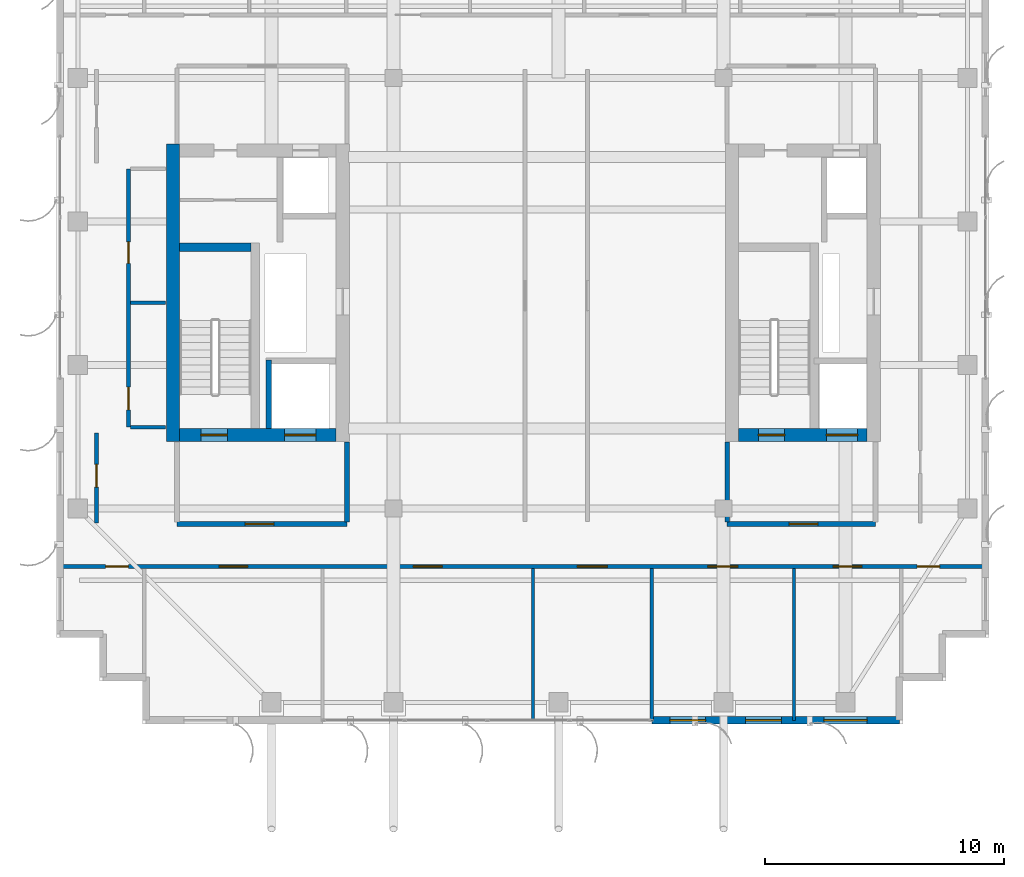
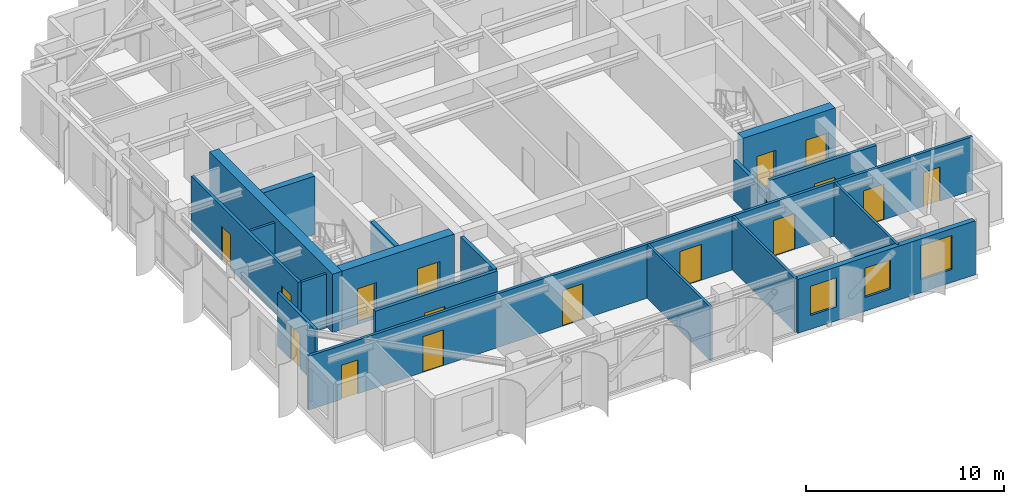
# One storey, part 17 of 22: 18 walls, 16 doors, 3 windows, 19 openings.
"""IFC4 building model written with IfcOpenShell, lengths in metres."""

from ifc_helpers import new_model, si_unit, direction, frame, frame_2d, origin, place, context, subcontext, project, spatial, rectangle, extrude, source, transform, mapped, material, layer, layer_set, type_object, element, fill, save


model = new_model("IFC4")

# Units and contexts
model_context = context("Model", 3, precision=1e-05, world=origin(), true_north=direction((0.0, 1.0)))
body_context = subcontext(model_context, "Body", "Model", "MODEL_VIEW")
ifc_project = project(units=[si_unit("LENGTHUNIT", "METRE"), si_unit("AREAUNIT", "SQUARE_METRE"), si_unit("VOLUMEUNIT", "CUBIC_METRE"), si_unit("PLANEANGLEUNIT", "RADIAN"), si_unit("MASSUNIT", "GRAM", prefix="KILO")], contexts=[model_context])

# Site, building, storey
site_placement = place(None, origin())
site = spatial("IfcSite", under=ifc_project, at=site_placement, CompositionType="ELEMENT")
building_placement = place(site_placement, origin())
building = spatial("IfcBuilding", under=site, at=building_placement, Name="Khoralis Quay Care Tower", CompositionType="ELEMENT")
storey_placement = place(building_placement, frame((0.0, 0.0, 278.10009765625)))
storey = spatial("IfcBuildingStorey", under=building, at=storey_placement, Name="L73", CompositionType="ELEMENT", Elevation=278.10009765625)

# Wall, opening, door
ifc_material_1 = material(Name="Gypsum plasterboard on acoustic metal stud")
ifc_layer_1 = layer(ifc_material_1, 0.199951171875)
ifc_layer_set_1 = layer_set([ifc_layer_1], Name="Gypsum plasterboard on acoustic metal stud")
wall_type_1 = type_object("IfcWallType", Name="WL-COMP-200", PredefinedType="PARTITIONING", material=ifc_layer_set_1)
wall_1_placement = place(storey_placement, frame((8.050048828125, 11.35009765625, 0.0), z_axis=(0.0, 0.0, 1.0), x_axis=(1.0, 0.0, 0.0)))
wall_1 = element("IfcWall", 1, at=wall_1_placement, inside=storey, type_object=wall_type_1, Name="L73 West Firefighting Lobby South Wall", PredefinedType="PARTITIONING", context=body_context, shape_type="SweptSolid", body=[
    extrude(rectangle(XDim=7.099853515625, YDim=0.199951171875, at=frame_2d((3.5498046875, 0.0))), origin(), (0.0, 0.0, 1.0), 3.31982421875),
])
opening_1_placement = place(wall_1_placement, frame((2.846435546875, 0.0, 0.0)))
opening_1 = element("IfcOpeningElement", 2, at=opening_1_placement, cuts=wall_1, Name="Opening FD1", PredefinedType="OPENING", context=body_context, shape_type="SweptSolid", body=[
    extrude(rectangle(XDim=1.199951171875, YDim=2.199951171875, at=frame_2d((0.60009765625, 1.10009765625))), frame((0.0, 0.10986328125, 0.0), z_axis=(0.0, -1.0, 0.0), x_axis=(1.0, 0.0, 0.0)), (0.0, 0.0, 1.0), 0.219970703125),
])
ifc_material_2 = material(Name="Fire-rated painted steel", Category="steel")
door_type_1 = type_object("IfcDoorType", Name="DR-FFL-1200X2200", OperationType="NOTDEFINED", PredefinedType="DOOR", material=ifc_material_2)
shared_shape_1 = source(origin(), body_context, "Body", "SweptSolid", [
    extrude(rectangle(XDim=1.199951171875, YDim=2.199951171875, at=frame_2d((0.60009765625, 1.10009765625))), frame((0.0, 0.02490234375, 0.0), z_axis=(0.0, -1.0, 0.0), x_axis=(1.0, 0.0, 0.0)), (0.0, 0.0, 1.0), 0.050048828125),
])
door_1_placement = place(opening_1_placement, origin())
door_1 = element("IfcDoor", 3, at=door_1_placement, inside=storey, type_object=door_type_1, Name="L73 West Firefighting Lobby Fire Door", OperationType="SINGLE_SWING_LEFT", OverallHeight=2.199951171875, OverallWidth=1.199951171875, PredefinedType="DOOR", context=body_context, shape_type="MappedRepresentation", body=[
    mapped(shared_shape_1, transform((0.0, 0.0, 0.0), scale=1.0)),
])
fill(opening_1, door_1)

# Wall
wall_2_placement = place(storey_placement, frame((15.14990234375, 11.445068359375, 0.0), z_axis=(0.0, 0.0, 1.0), x_axis=(0.0, 1.0, 0.0)))
element("IfcWall", 4, at=wall_2_placement, inside=storey, type_object=wall_type_1, Name="L73 West Firefighting Lobby East Wall", PredefinedType="PARTITIONING", context=body_context, shape_type="SweptSolid", body=[
    extrude(rectangle(XDim=3.3349609375, YDim=0.199951171875, at=frame_2d((1.66748046875, 0.0))), origin(), (0.0, 0.0, 1.0), 3.31982421875),
])

# Wall, opening, door
wall_3_placement = place(storey_placement, frame((31.050048828125, 11.35009765625, 0.0), z_axis=(0.0, 0.0, 1.0), x_axis=(1.0, 0.0, 0.0)))
wall_3 = element("IfcWall", 5, at=wall_3_placement, inside=storey, type_object=wall_type_1, Name="L73 East Firefighting Lobby South Wall", PredefinedType="PARTITIONING", context=body_context, shape_type="SweptSolid", body=[
    extrude(rectangle(XDim=6.199951171875, YDim=0.199951171875, at=frame_2d((3.10009765625, 0.0))), origin(), (0.0, 0.0, 1.0), 3.31982421875),
])
opening_2_placement = place(wall_3_placement, frame((2.585693359375, 0.0, 0.0)))
opening_2 = element("IfcOpeningElement", 6, at=opening_2_placement, cuts=wall_3, Name="Opening FD1", PredefinedType="OPENING", context=body_context, shape_type="SweptSolid", body=[
    extrude(rectangle(XDim=1.199951171875, YDim=2.199951171875, at=frame_2d((0.60009765625, 1.10009765625))), frame((0.0, 0.10986328125, 0.0), z_axis=(0.0, -1.0, 0.0), x_axis=(1.0, 0.0, 0.0)), (0.0, 0.0, 1.0), 0.219970703125),
])
door_2_placement = place(opening_2_placement, origin())
door_2 = element("IfcDoor", 7, at=door_2_placement, inside=storey, type_object=door_type_1, Name="L73 East Firefighting Lobby Fire Door", OperationType="SINGLE_SWING_RIGHT", OverallHeight=2.199951171875, OverallWidth=1.199951171875, PredefinedType="DOOR", context=body_context, shape_type="MappedRepresentation", body=[
    mapped(shared_shape_1, transform((0.0, 0.0, 0.0), scale=1.0)),
])
fill(opening_2, door_2)

# Walls
wall_4_placement = place(storey_placement, frame((31.050048828125, 11.445068359375, 0.0), z_axis=(0.0, 0.0, 1.0), x_axis=(0.0, 1.0, 0.0)))
element("IfcWall", 8, at=wall_4_placement, inside=storey, type_object=wall_type_1, Name="L73 East Firefighting Lobby West Wall", PredefinedType="PARTITIONING", context=body_context, shape_type="SweptSolid", body=[
    extrude(rectangle(XDim=3.3349609375, YDim=0.199951171875, at=frame_2d((1.66748046875, 0.0))), origin(), (0.0, 0.0, 1.0), 2.469970703125),
])
ifc_material_3 = material(Name="Concrete C65/80", Category="concrete")
ifc_layer_2 = layer(ifc_material_3, 0.550048828125)
ifc_layer_set_2 = layer_set([ifc_layer_2], Name="Concrete C65/80")
wall_type_2 = type_object("IfcWallType", Name="WL-CORE-550", PredefinedType="SHEAR", material=ifc_layer_set_2)
wall_5_placement = place(storey_placement, frame((7.875, 14.800048828125, 0.0), z_axis=(0.0, 0.0, 1.0), x_axis=(0.0, 1.0, 0.0)))
element("IfcWall", 9, at=wall_5_placement, inside=storey, type_object=wall_type_2, Name="L73 WCORE West Shear Wall", PredefinedType="SHEAR", context=body_context, shape_type="SweptSolid", body=[
    extrude(rectangle(XDim=12.449951171875, YDim=0.550048828125, at=frame_2d((6.22509765625, 0.0))), origin(), (0.0, 0.0, 1.0), 3.599853515625),
])

# Wall, openings, doors
wall_6_placement = place(storey_placement, frame((8.14990234375, 15.074951171875, 0.0), z_axis=(0.0, 0.0, 1.0), x_axis=(1.0, 0.0, 0.0)))
wall_6 = element("IfcWall", 10, at=wall_6_placement, inside=storey, type_object=wall_type_2, Name="L73 WCORE South Shear Wall", PredefinedType="SHEAR", context=body_context, shape_type="SweptSolid", body=[
    extrude(rectangle(XDim=6.550048828125, YDim=0.550048828125, at=frame_2d((3.27490234375, 0.0))), origin(), (0.0, 0.0, 1.0), 3.599853515625),
])
opening_3_placement = place(wall_6_placement, frame((0.89990234375, 0.0, 0.0)))
opening_3 = element("IfcOpeningElement", 11, at=opening_3_placement, cuts=wall_6, Name="Opening SD1", PredefinedType="OPENING", context=body_context, shape_type="SweptSolid", body=[
    extrude(rectangle(XDim=1.10009765625, YDim=2.199951171875, at=frame_2d((0.550048828125, 1.10009765625))), frame((0.0, 0.28515625, 0.0), z_axis=(0.0, -1.0, 0.0), x_axis=(1.0, 0.0, 0.0)), (0.0, 0.0, 1.0), 0.570068359375),
])
opening_4_placement = place(wall_6_placement, frame((4.39990234375, 0.0, 0.0)))
opening_4 = element("IfcOpeningElement", 12, at=opening_4_placement, cuts=wall_6, Name="Opening LD2", PredefinedType="OPENING", context=body_context, shape_type="SweptSolid", body=[
    extrude(rectangle(XDim=1.300048828125, YDim=2.199951171875, at=frame_2d((0.64990234375, 1.10009765625))), frame((0.0, 0.28515625, 0.0), z_axis=(0.0, -1.0, 0.0), x_axis=(1.0, 0.0, 0.0)), (0.0, 0.0, 1.0), 0.570068359375),
])
door_type_2 = type_object("IfcDoorType", Name="DR-STAIR-1100X2200", OperationType="NOTDEFINED", PredefinedType="DOOR", material=ifc_material_2)
shared_shape_2 = source(origin(), body_context, "Body", "SweptSolid", [
    extrude(rectangle(XDim=1.10009765625, YDim=2.199951171875, at=frame_2d((0.550048828125, 1.10009765625))), frame((0.0, 0.02490234375, 0.0), z_axis=(0.0, -1.0, 0.0), x_axis=(1.0, 0.0, 0.0)), (0.0, 0.0, 1.0), 0.050048828125),
])
door_3_placement = place(opening_3_placement, origin())
door_3 = element("IfcDoor", 13, at=door_3_placement, inside=storey, type_object=door_type_2, Name="L73 Stair ST-T1 Fire Door", OperationType="SINGLE_SWING_LEFT", OverallHeight=2.199951171875, OverallWidth=1.10009765625, PredefinedType="DOOR", context=body_context, shape_type="MappedRepresentation", body=[
    mapped(shared_shape_2, transform((0.0, 0.0, 0.0), scale=1.0)),
])
fill(opening_3, door_3)
ifc_material_4 = material(Name="Brushed stainless steel", Category="steel")
door_type_3 = type_object("IfcDoorType", Name="DR-LIFT-1300X2200", OperationType="SLIDING_TO_RIGHT", PredefinedType="DOOR", material=ifc_material_4)
shared_shape_3 = source(origin(), body_context, "Body", "SweptSolid", [
    extrude(rectangle(XDim=1.300048828125, YDim=2.199951171875, at=frame_2d((0.64990234375, 1.10009765625))), frame((0.0, 0.02490234375, 0.0), z_axis=(0.0, -1.0, 0.0), x_axis=(1.0, 0.0, 0.0)), (0.0, 0.0, 1.0), 0.050048828125),
])
door_4_placement = place(opening_4_placement, origin())
door_4 = element("IfcDoor", 14, at=door_4_placement, inside=storey, type_object=door_type_3, Name="L73 Firefighting Lift FFL-1 Landing Door", OperationType="SLIDING_TO_RIGHT", OverallHeight=2.199951171875, OverallWidth=1.300048828125, PredefinedType="DOOR", context=body_context, shape_type="MappedRepresentation", body=[
    mapped(shared_shape_3, transform((0.0, 0.0, 0.0), scale=1.0)),
])
fill(opening_4, door_4)

wall_7_placement = place(storey_placement, frame((31.52001953125, 15.074951171875, 0.0), z_axis=(0.0, 0.0, 1.0), x_axis=(1.0, 0.0, 0.0)))
wall_7 = element("IfcWall", 15, at=wall_7_placement, inside=storey, type_object=wall_type_2, Name="L73 ECORE South Shear Wall", PredefinedType="SHEAR", context=body_context, shape_type="SweptSolid", body=[
    extrude(rectangle(XDim=5.3798828125, YDim=0.550048828125, at=frame_2d((2.68994140625, 0.0))), origin(), (0.0, 0.0, 1.0), 3.599853515625),
])
opening_5_placement = place(wall_7_placement, frame((0.830078125, 0.0, 0.0)))
opening_5 = element("IfcOpeningElement", 16, at=opening_5_placement, cuts=wall_7, Name="Opening SD1", PredefinedType="OPENING", context=body_context, shape_type="SweptSolid", body=[
    extrude(rectangle(XDim=1.10009765625, YDim=2.199951171875, at=frame_2d((0.550048828125, 1.10009765625))), frame((0.0, 0.28515625, 0.0), z_axis=(0.0, -1.0, 0.0), x_axis=(1.0, 0.0, 0.0)), (0.0, 0.0, 1.0), 0.570068359375),
])
opening_6_placement = place(wall_7_placement, frame((3.679931640625, 0.0, 0.0)))
opening_6 = element("IfcOpeningElement", 17, at=opening_6_placement, cuts=wall_7, Name="Opening LD2", PredefinedType="OPENING", context=body_context, shape_type="SweptSolid", body=[
    extrude(rectangle(XDim=1.300048828125, YDim=2.199951171875, at=frame_2d((0.64990234375, 1.10009765625))), frame((0.0, 0.28515625, 0.0), z_axis=(0.0, -1.0, 0.0), x_axis=(1.0, 0.0, 0.0)), (0.0, 0.0, 1.0), 0.570068359375),
])
door_5_placement = place(opening_5_placement, origin())
door_5 = element("IfcDoor", 18, at=door_5_placement, inside=storey, type_object=door_type_2, Name="L73 Stair ST-T2 Fire Door", OperationType="SINGLE_SWING_RIGHT", OverallHeight=2.199951171875, OverallWidth=1.10009765625, PredefinedType="DOOR", context=body_context, shape_type="MappedRepresentation", body=[
    mapped(shared_shape_2, transform((0.0, 0.0, 0.0), scale=1.0)),
])
fill(opening_5, door_5)
door_6_placement = place(opening_6_placement, origin())
door_6 = element("IfcDoor", 19, at=door_6_placement, inside=storey, type_object=door_type_3, Name="L73 Firefighting Lift FFL-2 Landing Door", OperationType="SLIDING_TO_RIGHT", OverallHeight=2.199951171875, OverallWidth=1.300048828125, PredefinedType="DOOR", context=body_context, shape_type="MappedRepresentation", body=[
    mapped(shared_shape_3, transform((0.0, 0.0, 0.0), scale=1.0)),
])
fill(opening_6, door_6)

ifc_layer_3 = layer(ifc_material_1, 0.1650390625)
ifc_layer_set_3 = layer_set([ifc_layer_3], Name="Gypsum plasterboard on acoustic metal stud")
wall_type_3 = type_object("IfcWallType", Name="WL-CORR-165", PredefinedType="PARTITIONING", material=ifc_layer_set_3)
wall_8_placement = place(storey_placement, frame((6.02001953125, 15.39990234375, 0.0), z_axis=(0.0, 0.0, 1.0), x_axis=(0.0, 1.0, 0.0)))
wall_8 = element("IfcWall", 20, at=wall_8_placement, inside=storey, type_object=wall_type_3, Name="L73 West Core Service Flank Wall", PredefinedType="PARTITIONING", context=body_context, shape_type="SweptSolid", body=[
    extrude(rectangle(XDim=10.800048828125, YDim=0.1650390625, at=frame_2d((5.39990234375, 0.0))), origin(), (0.0, 0.0, 1.0), 3.31982421875),
])
opening_7_placement = place(wall_8_placement, frame((0.72509765625, 0.0, 0.0)))
opening_7 = element("IfcOpeningElement", 21, at=opening_7_placement, cuts=wall_8, Name="Opening ID1", PredefinedType="OPENING", context=body_context, shape_type="SweptSolid", body=[
    extrude(rectangle(XDim=0.949951171875, YDim=2.10009765625, at=frame_2d((0.47509765625, 1.050048828125))), frame((0.0, 0.092529296875, 0.0), z_axis=(0.0, -1.0, 0.0), x_axis=(1.0, 0.0, 0.0)), (0.0, 0.0, 1.0), 0.18505859375),
])
opening_8_placement = place(wall_8_placement, frame((6.85009765625, 0.0, 0.0)))
opening_8 = element("IfcOpeningElement", 22, at=opening_8_placement, cuts=wall_8, Name="Opening WD1", PredefinedType="OPENING", context=body_context, shape_type="SweptSolid", body=[
    extrude(rectangle(XDim=0.89990234375, YDim=2.10009765625, at=frame_2d((0.449951171875, 1.050048828125))), frame((0.0, 0.092529296875, 0.0), z_axis=(0.0, -1.0, 0.0), x_axis=(1.0, 0.0, 0.0)), (0.0, 0.0, 1.0), 0.18505859375),
])
ifc_material_5 = material(Name="Acoustic hardwood timber", Category="wood")
door_type_4 = type_object("IfcDoorType", Name="DR-BATH-900X2100", OperationType="NOTDEFINED", PredefinedType="DOOR", material=ifc_material_5)
shared_shape_4 = source(origin(), body_context, "Body", "SweptSolid", [
    extrude(rectangle(XDim=0.89990234375, YDim=2.10009765625, at=frame_2d((0.449951171875, 1.050048828125))), frame((0.0, 0.02490234375, 0.0), z_axis=(0.0, -1.0, 0.0), x_axis=(1.0, 0.0, 0.0)), (0.0, 0.0, 1.0), 0.050048828125),
])
door_7_placement = place(opening_8_placement, frame((0.89990234375, 0.0, 0.0), z_axis=(0.0, 0.0, 1.0), x_axis=(-1.0, 0.0, 0.0)))
door_7 = element("IfcDoor", 23, at=door_7_placement, inside=storey, type_object=door_type_4, Name="L73 Public Accessible WC Door", OperationType="SINGLE_SWING_LEFT", OverallHeight=2.10009765625, OverallWidth=0.89990234375, PredefinedType="DOOR", context=body_context, shape_type="MappedRepresentation", body=[
    mapped(shared_shape_4, transform((0.0, 0.0, 0.0), scale=1.0)),
])
fill(opening_8, door_7)
door_type_5 = type_object("IfcDoorType", Name="DR-ROOM-950X2100", OperationType="NOTDEFINED", PredefinedType="DOOR", material=ifc_material_5)
shared_shape_5 = source(origin(), body_context, "Body", "SweptSolid", [
    extrude(rectangle(XDim=0.949951171875, YDim=2.10009765625, at=frame_2d((0.47509765625, 1.050048828125))), frame((0.0, 0.02490234375, 0.0), z_axis=(0.0, -1.0, 0.0), x_axis=(1.0, 0.0, 0.0)), (0.0, 0.0, 1.0), 0.050048828125),
])
door_8_placement = place(opening_7_placement, frame((0.949951171875, 0.0, 0.0), z_axis=(0.0, 0.0, 1.0), x_axis=(-1.0, 0.0, 0.0)))
door_8 = element("IfcDoor", 24, at=door_8_placement, inside=storey, type_object=door_type_5, Name="L73 Housekeeping Linen Store Door", OperationType="SINGLE_SWING_RIGHT", OverallHeight=2.10009765625, OverallWidth=0.949951171875, PredefinedType="DOOR", context=body_context, shape_type="MappedRepresentation", body=[
    mapped(shared_shape_5, transform((0.0, 0.0, 0.0), scale=1.0)),
])
fill(opening_7, door_8)

wall_9_placement = place(storey_placement, frame((3.14501953125, 9.580078125, 0.0), z_axis=(0.0, 0.0, 1.0), x_axis=(1.0, 0.0, 0.0)))
wall_9 = element("IfcWall", 25, at=wall_9_placement, inside=storey, type_object=wall_type_3, Name="L73 South Main Corridor Wall", PredefinedType="PARTITIONING", context=body_context, shape_type="SweptSolid", body=[
    extrude(rectangle(XDim=38.7099609375, YDim=0.1650390625, at=frame_2d((19.35498046875, 0.0))), origin(), (0.0, 0.0, 1.0), 3.31982421875),
])
opening_9_placement = place(wall_9_placement, frame((6.659912109375, 0.0, 0.0)))
opening_9 = element("IfcOpeningElement", 26, at=opening_9_placement, cuts=wall_9, Name="Opening FD1", PredefinedType="OPENING", context=body_context, shape_type="SweptSolid", body=[
    extrude(rectangle(XDim=1.199951171875, YDim=2.199951171875, at=frame_2d((0.60009765625, 1.10009765625))), frame((0.0, 0.092529296875, 0.0), z_axis=(0.0, -1.0, 0.0), x_axis=(1.0, 0.0, 0.0)), (0.0, 0.0, 1.0), 0.18505859375),
])
opening_10_placement = place(wall_9_placement, frame((14.784912109375, 0.0, 0.0)))
opening_10 = element("IfcOpeningElement", 27, at=opening_10_placement, cuts=wall_9, Name="Opening FD1", PredefinedType="OPENING", context=body_context, shape_type="SweptSolid", body=[
    extrude(rectangle(XDim=1.199951171875, YDim=2.199951171875, at=frame_2d((0.60009765625, 1.10009765625))), frame((0.0, 0.092529296875, 0.0), z_axis=(0.0, -1.0, 0.0), x_axis=(1.0, 0.0, 0.0)), (0.0, 0.0, 1.0), 0.18505859375),
])
opening_11_placement = place(wall_9_placement, frame((21.64501953125, 0.0, 0.0)))
opening_11 = element("IfcOpeningElement", 28, at=opening_11_placement, cuts=wall_9, Name="Opening CD1", PredefinedType="OPENING", context=body_context, shape_type="SweptSolid", body=[
    extrude(rectangle(XDim=1.25, YDim=2.199951171875, at=frame_2d((0.625, 1.10009765625))), frame((0.0, 0.092529296875, 0.0), z_axis=(0.0, -1.0, 0.0), x_axis=(1.0, 0.0, 0.0)), (0.0, 0.0, 1.0), 0.18505859375),
])
opening_12_placement = place(wall_9_placement, frame((27.10009765625, 0.0, 0.0)))
opening_12 = element("IfcOpeningElement", 29, at=opening_12_placement, cuts=wall_9, Name="Opening CD1", PredefinedType="OPENING", context=body_context, shape_type="SweptSolid", body=[
    extrude(rectangle(XDim=1.25, YDim=2.199951171875, at=frame_2d((0.625, 1.10009765625))), frame((0.0, 0.092529296875, 0.0), z_axis=(0.0, -1.0, 0.0), x_axis=(1.0, 0.0, 0.0)), (0.0, 0.0, 1.0), 0.18505859375),
])
opening_13_placement = place(wall_9_placement, frame((32.3349609375, 0.0, 0.0)))
opening_13 = element("IfcOpeningElement", 30, at=opening_13_placement, cuts=wall_9, Name="Opening FD1", PredefinedType="OPENING", context=body_context, shape_type="SweptSolid", body=[
    extrude(rectangle(XDim=1.199951171875, YDim=2.199951171875, at=frame_2d((0.60009765625, 1.10009765625))), frame((0.0, 0.092529296875, 0.0), z_axis=(0.0, -1.0, 0.0), x_axis=(1.0, 0.0, 0.0)), (0.0, 0.0, 1.0), 0.18505859375),
])
opening_14_placement = place(wall_9_placement, frame((1.919921875, 0.0, 0.0)))
opening_14 = element("IfcOpeningElement", 31, at=opening_14_placement, cuts=wall_9, Name="Opening ID1", PredefinedType="OPENING", context=body_context, shape_type="SweptSolid", body=[
    extrude(rectangle(XDim=0.949951171875, YDim=2.10009765625, at=frame_2d((0.47509765625, 1.050048828125))), frame((0.0, 0.092529296875, 0.0), z_axis=(0.0, -1.0, 0.0), x_axis=(1.0, 0.0, 0.0)), (0.0, 0.0, 1.0), 0.18505859375),
])
opening_15_placement = place(wall_9_placement, frame((35.840087890625, 0.0, 0.0)))
opening_15 = element("IfcOpeningElement", 32, at=opening_15_placement, cuts=wall_9, Name="Opening ID1", PredefinedType="OPENING", context=body_context, shape_type="SweptSolid", body=[
    extrude(rectangle(XDim=0.949951171875, YDim=2.10009765625, at=frame_2d((0.47509765625, 1.050048828125))), frame((0.0, 0.092529296875, 0.0), z_axis=(0.0, -1.0, 0.0), x_axis=(1.0, 0.0, 0.0)), (0.0, 0.0, 1.0), 0.18505859375),
])
door_9_placement = place(opening_9_placement, frame((1.199951171875, 0.0, 0.0), z_axis=(0.0, 0.0, 1.0), x_axis=(-1.0, 0.0, 0.0)))
door_9 = element("IfcDoor", 33, at=door_9_placement, inside=storey, type_object=door_type_1, Name="L73 Resident Communal Day Lounge Door", OperationType="DOUBLE_DOOR_SINGLE_SWING", OverallHeight=2.199951171875, OverallWidth=1.199951171875, PredefinedType="DOOR", context=body_context, shape_type="MappedRepresentation", body=[
    mapped(shared_shape_1, transform((0.0, 0.0, 0.0), scale=1.0)),
])
fill(opening_9, door_9)
door_10_placement = place(opening_10_placement, frame((1.199951171875, 0.0, 0.0), z_axis=(0.0, 0.0, 1.0), x_axis=(-1.0, 0.0, 0.0)))
door_10 = element("IfcDoor", 34, at=door_10_placement, inside=storey, type_object=door_type_1, Name="L73 Resident Communal Day Lounge Door", OperationType="DOUBLE_DOOR_SINGLE_SWING", OverallHeight=2.199951171875, OverallWidth=1.199951171875, PredefinedType="DOOR", context=body_context, shape_type="MappedRepresentation", body=[
    mapped(shared_shape_1, transform((0.0, 0.0, 0.0), scale=1.0)),
])
fill(opening_10, door_10)
door_11_placement = place(opening_13_placement, frame((1.199951171875, 0.0, 0.0), z_axis=(0.0, 0.0, 1.0), x_axis=(-1.0, 0.0, 0.0)))
door_11 = element("IfcDoor", 35, at=door_11_placement, inside=storey, type_object=door_type_1, Name="L73 Resident Communal Day Lounge Door", OperationType="DOUBLE_DOOR_SINGLE_SWING", OverallHeight=2.199951171875, OverallWidth=1.199951171875, PredefinedType="DOOR", context=body_context, shape_type="MappedRepresentation", body=[
    mapped(shared_shape_1, transform((0.0, 0.0, 0.0), scale=1.0)),
])
fill(opening_13, door_11)
door_type_6 = type_object("IfcDoorType", Name="DR-CARE-1250X2200", OperationType="NOTDEFINED", PredefinedType="DOOR", material=ifc_material_5)
shared_shape_6 = source(origin(), body_context, "Body", "SweptSolid", [
    extrude(rectangle(XDim=1.25, YDim=2.199951171875, at=frame_2d((0.625, 1.10009765625))), frame((0.0, 0.02490234375, 0.0), z_axis=(0.0, -1.0, 0.0), x_axis=(1.0, 0.0, 0.0)), (0.0, 0.0, 1.0), 0.050048828125),
])
door_12_placement = place(opening_11_placement, frame((1.25, 0.0, 0.0), z_axis=(0.0, 0.0, 1.0), x_axis=(-1.0, 0.0, 0.0)))
door_12 = element("IfcDoor", 36, at=door_12_placement, inside=storey, type_object=door_type_6, Name="L73 Physiotherapy Treatment Clinic Door", OperationType="SINGLE_SWING_LEFT", OverallHeight=2.199951171875, OverallWidth=1.25, PredefinedType="DOOR", context=body_context, shape_type="MappedRepresentation", body=[
    mapped(shared_shape_6, transform((0.0, 0.0, 0.0), scale=1.0)),
])
fill(opening_11, door_12)
door_13_placement = place(opening_12_placement, frame((1.25, 0.0, 0.0), z_axis=(0.0, 0.0, 1.0), x_axis=(-1.0, 0.0, 0.0)))
door_13 = element("IfcDoor", 37, at=door_13_placement, inside=storey, type_object=door_type_6, Name="L73 Geriatric Consultation Clinic Door", OperationType="SINGLE_SWING_RIGHT", OverallHeight=2.199951171875, OverallWidth=1.25, PredefinedType="DOOR", context=body_context, shape_type="MappedRepresentation", body=[
    mapped(shared_shape_6, transform((0.0, 0.0, 0.0), scale=1.0)),
])
fill(opening_12, door_13)
door_14_placement = place(opening_14_placement, frame((0.949951171875, 0.0, 0.0), z_axis=(0.0, 0.0, 1.0), x_axis=(-1.0, 0.0, 0.0)))
door_14 = element("IfcDoor", 38, at=door_14_placement, inside=storey, type_object=door_type_5, Name="L73 SW Corner Door", OperationType="SINGLE_SWING_LEFT", OverallHeight=2.10009765625, OverallWidth=0.949951171875, PredefinedType="DOOR", context=body_context, shape_type="MappedRepresentation", body=[
    mapped(shared_shape_5, transform((0.0, 0.0, 0.0), scale=1.0)),
])
fill(opening_14, door_14)
door_15_placement = place(opening_15_placement, frame((0.949951171875, 0.0, 0.0), z_axis=(0.0, 0.0, 1.0), x_axis=(-1.0, 0.0, 0.0)))
door_15 = element("IfcDoor", 39, at=door_15_placement, inside=storey, type_object=door_type_5, Name="L73 SE Corner Door", OperationType="SINGLE_SWING_RIGHT", OverallHeight=2.10009765625, OverallWidth=0.949951171875, PredefinedType="DOOR", context=body_context, shape_type="MappedRepresentation", body=[
    mapped(shared_shape_5, transform((0.0, 0.0, 0.0), scale=1.0)),
])
fill(opening_15, door_15)

# Wall, opening, door
wall_10_placement = place(storey_placement, frame((4.679931640625, 11.39990234375, 0.0), z_axis=(0.0, 0.0, 1.0), x_axis=(0.0, 1.0, 0.0)))
wall_10 = element("IfcWall", 40, at=wall_10_placement, inside=storey, type_object=wall_type_3, Name="L73 West Sky Sunroom South Wall", PredefinedType="PARTITIONING", context=body_context, shape_type="SweptSolid", body=[
    extrude(rectangle(XDim=3.75, YDim=0.1650390625, at=frame_2d((1.875, 0.0))), origin(), (0.0, 0.0, 1.0), 3.31982421875),
])
opening_16_placement = place(wall_10_placement, frame((1.5, 0.0, 0.0)))
opening_16 = element("IfcOpeningElement", 41, at=opening_16_placement, cuts=wall_10, Name="Opening ID1", PredefinedType="OPENING", context=body_context, shape_type="SweptSolid", body=[
    extrude(rectangle(XDim=0.949951171875, YDim=2.10009765625, at=frame_2d((0.47509765625, 1.050048828125))), frame((0.0, 0.092529296875, 0.0), z_axis=(0.0, -1.0, 0.0), x_axis=(1.0, 0.0, 0.0)), (0.0, 0.0, 1.0), 0.18505859375),
])
door_16_placement = place(opening_16_placement, frame((0.949951171875, 0.0, 0.0), z_axis=(0.0, 0.0, 1.0), x_axis=(-1.0, 0.0, 0.0)))
door_16 = element("IfcDoor", 42, at=door_16_placement, inside=storey, type_object=door_type_5, Name="L73 West Sunroom Door", OperationType="SINGLE_SWING_LEFT", OverallHeight=2.10009765625, OverallWidth=0.949951171875, PredefinedType="DOOR", context=body_context, shape_type="MappedRepresentation", body=[
    mapped(shared_shape_5, transform((0.0, 0.0, 0.0), scale=1.0)),
])
fill(opening_16, door_16)

# Wall, openings, windows
ifc_material_6 = material(Name="Precast concrete C45/55", Category="concrete")
ifc_layer_4 = layer(ifc_material_6, 0.300048828125)
ifc_layer_set_4 = layer_set([ifc_layer_4], Name="Precast concrete C45/55")
wall_type_4 = type_object("IfcWallType", Name="WL-EXT-REF-300", PredefinedType="SOLIDWALL", material=ifc_layer_set_4)
wall_11_placement = place(storey_placement, frame((27.89990234375, 3.14990234375, 0.0), z_axis=(0.0, 0.0, 1.0), x_axis=(1.0, 0.0, 0.0)))
wall_11 = element("IfcWall", 43, at=wall_11_placement, inside=storey, type_object=wall_type_4, Name="L73 External Facade Wall WL-EXT-L73-P1-E0B", PredefinedType="SOLIDWALL", context=body_context, shape_type="SweptSolid", body=[
    extrude(rectangle(XDim=10.35009765625, YDim=0.300048828125, at=frame_2d((5.175048828125, 0.0))), origin(), (0.0, 0.0, 1.0), 3.31982421875),
])
opening_17_placement = place(wall_11_placement, frame((0.75, 0.0, 0.85009765625)))
opening_17 = element("IfcOpeningElement", 44, at=opening_17_placement, cuts=wall_11, Name="Opening W3", PredefinedType="OPENING", context=body_context, shape_type="SweptSolid", body=[
    extrude(rectangle(XDim=1.5, YDim=1.800048828125, at=frame_2d((0.75, 0.89990234375))), frame((0.0, 0.16015625, 0.0), z_axis=(0.0, -1.0, 0.0), x_axis=(1.0, 0.0, 0.0)), (0.0, 0.0, 1.0), 0.320068359375),
])
opening_18_placement = place(wall_11_placement, frame((3.9150390625, 0.0, 0.85009765625)))
opening_18 = element("IfcOpeningElement", 45, at=opening_18_placement, cuts=wall_11, Name="Opening W3", PredefinedType="OPENING", context=body_context, shape_type="SweptSolid", body=[
    extrude(rectangle(XDim=1.5, YDim=1.800048828125, at=frame_2d((0.75, 0.89990234375))), frame((0.0, 0.16015625, 0.0), z_axis=(0.0, -1.0, 0.0), x_axis=(1.0, 0.0, 0.0)), (0.0, 0.0, 1.0), 0.320068359375),
])
opening_19_placement = place(wall_11_placement, frame((7.195068359375, 0.0, 0.800048828125)))
opening_19 = element("IfcOpeningElement", 46, at=opening_19_placement, cuts=wall_11, Name="Opening W2", PredefinedType="OPENING", context=body_context, shape_type="SweptSolid", body=[
    extrude(rectangle(XDim=1.800048828125, YDim=2.10009765625, at=frame_2d((0.89990234375, 1.050048828125))), frame((0.0, 0.16015625, 0.0), z_axis=(0.0, -1.0, 0.0), x_axis=(1.0, 0.0, 0.0)), (0.0, 0.0, 1.0), 0.320068359375),
])
ifc_material_7 = material(Name="Low-E solar-control double glazing", Category="glass")
window_type_1 = type_object("IfcWindowType", Name="WN-CLIN-1500X1800", PartitioningType="SINGLE_PANEL", PredefinedType="WINDOW", material=ifc_material_7)
shared_shape_7 = source(origin(), body_context, "Body", "SweptSolid", [
    extrude(rectangle(XDim=1.5, YDim=1.800048828125, at=frame_2d((0.75, 0.89990234375))), frame((0.0, 0.030029296875, 0.0), z_axis=(0.0, -1.0, 0.0), x_axis=(1.0, 0.0, 0.0)), (0.0, 0.0, 1.0), 0.06005859375),
])
window_1_placement = place(opening_17_placement, origin())
window_1 = element("IfcWindow", 47, at=window_1_placement, inside=storey, type_object=window_type_1, Name="WN-L73-P1-E0B Facade Window 01", OverallHeight=1.800048828125, OverallWidth=1.5, PartitioningType="SINGLE_PANEL", PredefinedType="WINDOW", context=body_context, shape_type="MappedRepresentation", body=[
    mapped(shared_shape_7, transform((0.0, 0.0, 0.0), scale=1.0)),
])
fill(opening_17, window_1)
window_2_placement = place(opening_18_placement, origin())
window_2 = element("IfcWindow", 48, at=window_2_placement, inside=storey, type_object=window_type_1, Name="WN-L73-P1-E0B Facade Window 02", OverallHeight=1.800048828125, OverallWidth=1.5, PartitioningType="SINGLE_PANEL", PredefinedType="WINDOW", context=body_context, shape_type="MappedRepresentation", body=[
    mapped(shared_shape_7, transform((0.0, 0.0, 0.0), scale=1.0)),
])
fill(opening_18, window_2)
window_type_2 = type_object("IfcWindowType", Name="WN-POD-1800X2100", PartitioningType="SINGLE_PANEL", PredefinedType="WINDOW", material=ifc_material_7)
shared_shape_8 = source(origin(), body_context, "Body", "SweptSolid", [
    extrude(rectangle(XDim=1.800048828125, YDim=2.10009765625, at=frame_2d((0.89990234375, 1.050048828125))), frame((0.0, 0.030029296875, 0.0), z_axis=(0.0, -1.0, 0.0), x_axis=(1.0, 0.0, 0.0)), (0.0, 0.0, 1.0), 0.06005859375),
])
window_3_placement = place(opening_19_placement, origin())
window_3 = element("IfcWindow", 49, at=window_3_placement, inside=storey, type_object=window_type_2, Name="WN-L73-P1-E0B Facade Window 03", OverallHeight=2.10009765625, OverallWidth=1.800048828125, PartitioningType="SINGLE_PANEL", PredefinedType="WINDOW", context=body_context, shape_type="MappedRepresentation", body=[
    mapped(shared_shape_8, transform((0.0, 0.0, 0.0), scale=1.0)),
])
fill(opening_19, window_3)

# Walls
ifc_material_8 = material(Name="Moisture-resistant gypsum and ceramic tile")
ifc_layer_5 = layer(ifc_material_8, 0.280029296875)
ifc_layer_set_5 = layer_set([ifc_layer_5], Name="Moisture-resistant gypsum and ceramic tile")
wall_type_5 = type_object("IfcWallType", Name="WL-PLUMB-280", PredefinedType="PLUMBINGWALL", material=ifc_layer_set_5)
wall_12_placement = place(storey_placement, frame((6.097412109375, 20.60009765625, 0.0), z_axis=(0.0, 0.0, 1.0), x_axis=(1.0, 0.0, 0.0)))
element("IfcWall", 50, at=wall_12_placement, inside=storey, type_object=wall_type_5, Name="L73 West Flank Divider 1", PredefinedType="PLUMBINGWALL", context=body_context, shape_type="SweptSolid", body=[
    extrude(rectangle(XDim=1.462646484375, YDim=0.139892578125, at=frame_2d((0.7314453125, 0.0))), origin(), (0.0, 0.0, 1.0), 3.31982421875),
])
ifc_material_9 = material(Name="Concrete C40/50", Category="concrete")
ifc_layer_6 = layer(ifc_material_9, 0.35009765625)
ifc_layer_set_6 = layer_set([ifc_layer_6], Name="Concrete C40/50")
wall_type_6 = type_object("IfcWallType", Name="WL-SC-CORE-350", PredefinedType="SHEAR", material=ifc_layer_set_6)
wall_13_placement = place(storey_placement, frame((8.14990234375, 22.925048828125, 0.0), z_axis=(0.0, 0.0, 1.0), x_axis=(1.0, 0.0, 0.0)))
element("IfcWall", 51, at=wall_13_placement, inside=storey, type_object=wall_type_6, Name="L73 Stair ST-T1 Shear Baffle Wall North", PredefinedType="SHEAR", context=body_context, shape_type="SweptSolid", body=[
    extrude(rectangle(XDim=3.0, YDim=0.35009765625, at=frame_2d((1.5, 0.0))), origin(), (0.0, 0.0, 1.0), 3.599853515625),
])
ifc_layer_7 = layer(ifc_material_1, 0.239990234375)
ifc_layer_set_7 = layer_set([ifc_layer_7], Name="Gypsum plasterboard on acoustic metal stud")
wall_type_7 = type_object("IfcWallType", Name="WL-SHAFT-240", PredefinedType="PARTITIONING", material=ifc_layer_set_7)
wall_14_placement = place(storey_placement, frame((11.8798828125, 15.35009765625, 0.0), z_axis=(0.0, 0.0, 1.0), x_axis=(0.0, 1.0, 0.0)))
element("IfcWall", 52, at=wall_14_placement, inside=storey, type_object=wall_type_7, Name="L73 FFL-1 Shaft Wall West", PredefinedType="PARTITIONING", context=body_context, shape_type="SweptSolid", body=[
    extrude(rectangle(XDim=2.849853515625, YDim=0.239990234375, at=frame_2d((1.4248046875, 0.0))), origin(), (0.0, 0.0, 1.0), 3.31982421875),
])
ifc_layer_8 = layer(ifc_material_1, 0.139892578125)
ifc_layer_set_8 = layer_set([ifc_layer_8], Name="Gypsum plasterboard on acoustic metal stud")
wall_type_8 = type_object("IfcWallType", Name="WL-UNIT-140", PredefinedType="PARTITIONING", material=ifc_layer_set_8)
wall_15_placement = place(storey_placement, frame((6.097412109375, 15.39990234375, 0.0), z_axis=(0.0, 0.0, 1.0), x_axis=(1.0, 0.0, 0.0)))
element("IfcWall", 53, at=wall_15_placement, inside=storey, type_object=wall_type_8, Name="L73 West Flank South Cap", PredefinedType="PARTITIONING", context=body_context, shape_type="SweptSolid", body=[
    extrude(rectangle(XDim=1.462646484375, YDim=0.139892578125, at=frame_2d((0.7314453125, 0.0))), origin(), (0.0, 0.0, 1.0), 3.31982421875),
])
for number, where, z_axis, x_axis, name in (
    (54, (22.929931640625, 3.14501953125, 0.0), (0.0, 0.0, 1.0), (0.0, 1.0, 0.0), "L73 SB Demising Wall 2"),
    (55, (27.89990234375, 3.14501953125, 0.0), (0.0, 0.0, 1.0), (0.0, 1.0, 0.0), "L73 SB Demising Wall 3"),
    (56, (33.840087890625, 3.14501953125, 0.0), (0.0, 0.0, 1.0), (0.0, 1.0, 0.0), "L73 SB Demising Wall 4"),
):
    element("IfcWall", number, at=place(storey_placement, frame(where, z_axis=z_axis, x_axis=x_axis)), inside=storey, type_object=wall_type_8, Name=name, PredefinedType="PARTITIONING", context=body_context, shape_type="SweptSolid", body=[
        extrude(rectangle(XDim=6.357421875, YDim=0.139892578125, at=frame_2d((3.1787109375, 0.0))), origin(), (0.0, 0.0, 1.0), 3.31982421875),
    ])

save(model, "model.ifc")
